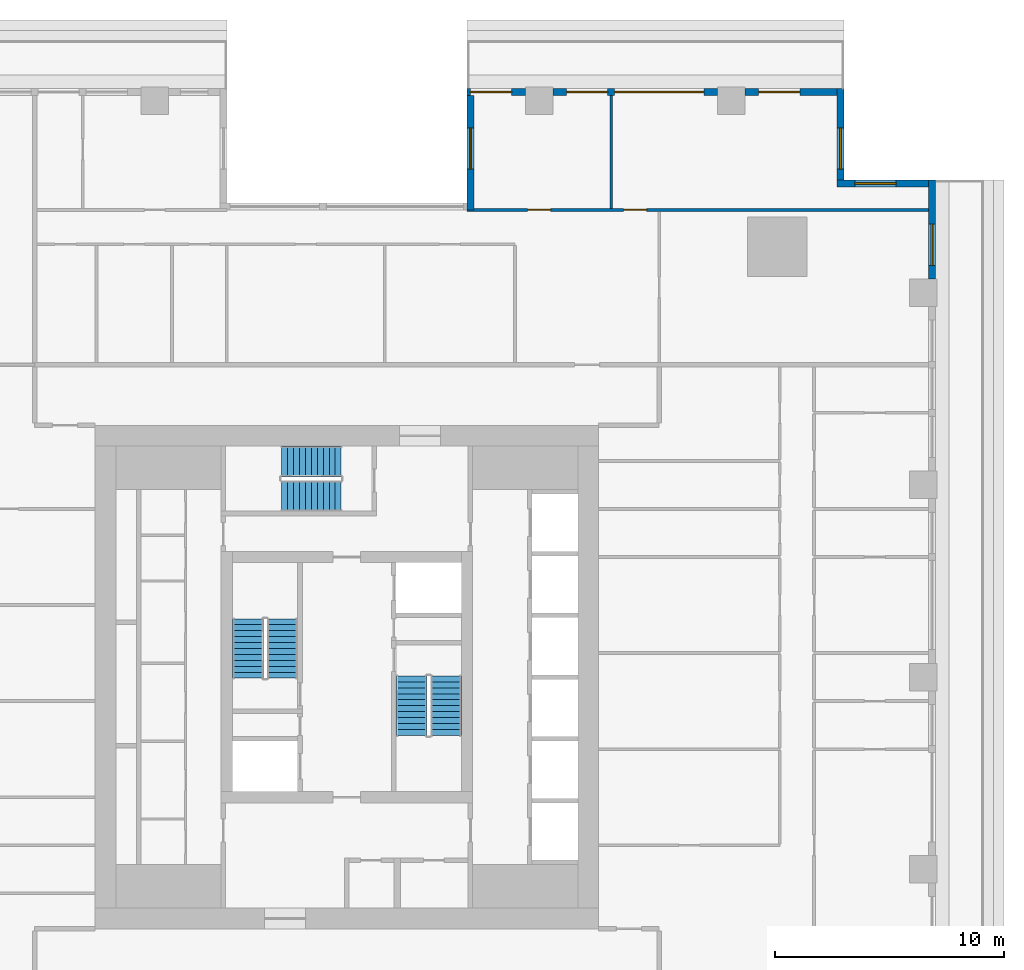
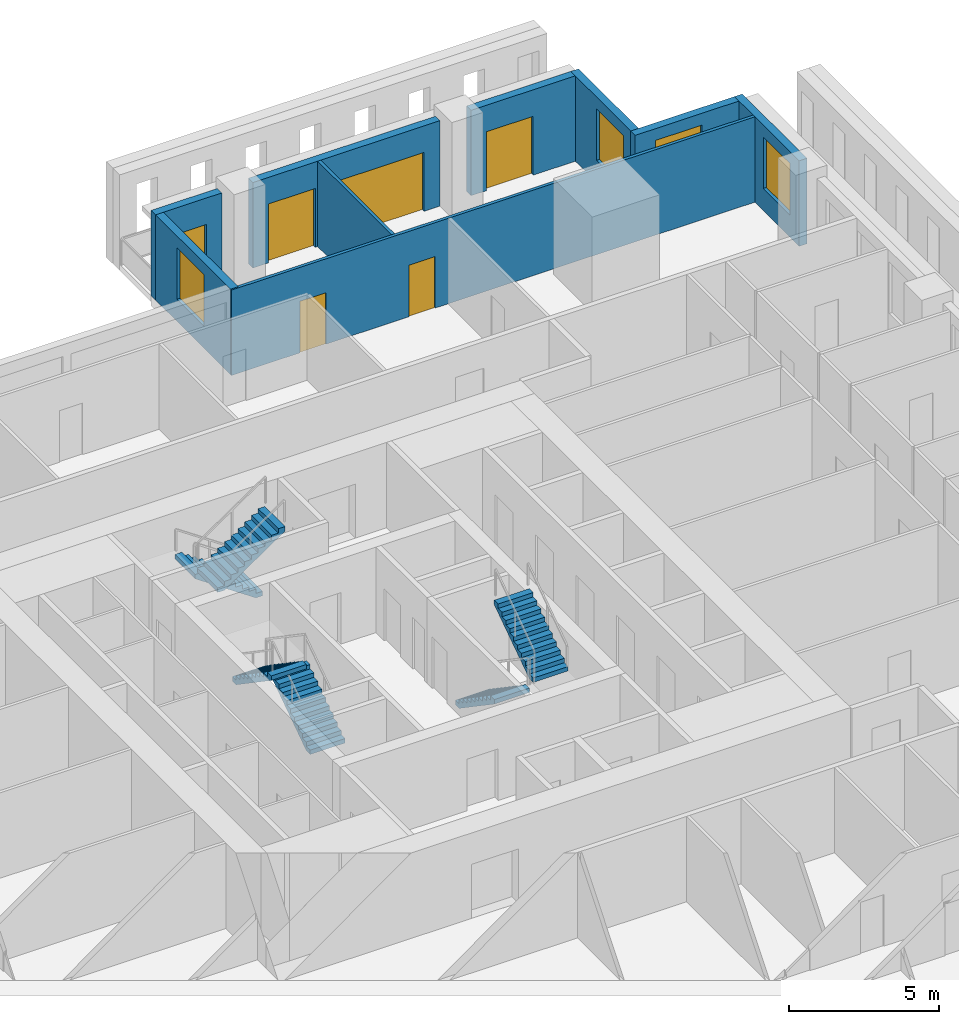
# One storey, part 9 of 15: 9 walls, 6 doors, 6 stair flights, 4 windows, 10 openings, 3 elements without a shape of their own.
"""IFC4 building model written with IfcOpenShell, lengths in metres."""

from ifc_helpers import new_model, si_unit, direction, frame, frame_2d, origin, place, context, subcontext, project, spatial, polyline, rectangle, outline, extrude, material, layer, layer_set, type_object, element, fill, aggregate, save


model = new_model("IFC4")

# Units and contexts
model_context = context("Model", 3, precision=1e-05, world=origin(), true_north=direction((0.0, 1.0)))
body_context = subcontext(model_context, "Body", "Model", "MODEL_VIEW")
ifc_project = project(units=[si_unit("LENGTHUNIT", "METRE"), si_unit("AREAUNIT", "SQUARE_METRE"), si_unit("VOLUMEUNIT", "CUBIC_METRE"), si_unit("PLANEANGLEUNIT", "RADIAN"), si_unit("MASSUNIT", "GRAM", prefix="KILO")], contexts=[model_context])

# Site, building, storey
site_placement = place(None, origin())
site = spatial("IfcSite", under=ifc_project, at=site_placement, CompositionType="ELEMENT")
building_placement = place(site_placement, origin())
building = spatial("IfcBuilding", under=site, at=building_placement, Name="Khepri Terraces", CompositionType="ELEMENT")
storey_placement = place(building_placement, frame((0.0, 0.0, 145.5)))
storey = spatial("IfcBuildingStorey", under=building, at=storey_placement, Name="L34", CompositionType="ELEMENT", Elevation=145.5)

# Wall, opening, window
ifc_material_1 = material(Name="Precast concrete C50/60 warm stone", Category="masonry")
ifc_layer_1 = layer(ifc_material_1, 0.300048828125, Name="Precast concrete C50/60 warm stone", Category="masonry")
ifc_layer_set_1 = layer_set([ifc_layer_1], Name="Precast concrete C50/60 warm stone")
wall_type_1 = type_object("IfcWallType", Name="WL-EXT-PRECAST-300", PredefinedType="STANDARD", material=ifc_layer_set_1)
wall_1_placement = place(storey_placement, frame((25.570068359375, 17.39990234375, 0.0), z_axis=(0.0, 0.0, 1.0), x_axis=(0.0, 1.0, 0.0)))
wall_1 = element("IfcWall", 1, at=wall_1_placement, inside=storey, type_object=wall_type_1, Name="External wall L34 E", PredefinedType="STANDARD", context=body_context, shape_type="SweptSolid", body=[
    extrude(rectangle(XDim=4.320068359375, YDim=0.300048828125, at=frame_2d((2.16015625, 0.0))), origin(), (0.0, 0.0, 1.0), 3.47998046875),
])
opening_1_placement = place(wall_1_placement, frame((0.60009765625, 0.0, 0.89990234375)))
opening_1 = element("IfcOpeningElement", 2, at=opening_1_placement, cuts=wall_1, Name="Opening W1", PredefinedType="OPENING", context=body_context, shape_type="SweptSolid", body=[
    extrude(rectangle(XDim=1.800048828125, YDim=2.10009765625, at=frame_2d((0.89990234375, 1.050048828125))), frame((0.0, 0.16015625, 0.0), z_axis=(0.0, -1.0, 0.0), x_axis=(1.0, 0.0, 0.0)), (0.0, 0.0, 1.0), 0.320068359375),
])
ifc_material_2 = material(Name="Clear glass", Category="glass")
window_type = type_object("IfcWindowType", Name="WIN-RES-1800x2100", PartitioningType="SINGLE_PANEL", PredefinedType="WINDOW", material=ifc_material_2)
window_1_placement = place(opening_1_placement, origin())
window_1 = element("IfcWindow", 3, at=window_1_placement, inside=storey, type_object=window_type, Name="Window L34 E", OverallHeight=2.10009765625, OverallWidth=1.800048828125, PartitioningType="SINGLE_PANEL", PredefinedType="WINDOW", context=body_context, shape_type="SweptSolid", body=[
    extrude(rectangle(XDim=1.800048828125, YDim=2.10009765625, at=frame_2d((0.89990234375, 1.050048828125))), frame((0.0, 0.030029296875, 0.0), z_axis=(0.0, -1.0, 0.0), x_axis=(1.0, 0.0, 0.0)), (0.0, 0.0, 1.0), 0.06005859375),
])
fill(opening_1, window_1)

wall_2_placement = place(storey_placement, frame((25.419921875, 21.570068359375, 0.0), z_axis=(0.0, 0.0, 1.0), x_axis=(-1.0, 0.0, 0.0)))
wall_2 = element("IfcWall", 4, at=wall_2_placement, inside=storey, type_object=wall_type_1, Name="External wall L34 N", PredefinedType="STANDARD", context=body_context, shape_type="SweptSolid", body=[
    extrude(rectangle(XDim=4.0, YDim=0.300048828125, at=frame_2d((2.0, 0.0))), origin(), (0.0, 0.0, 1.0), 3.47998046875),
])
opening_2_placement = place(wall_2_placement, frame((1.419921875, 0.0, 0.89990234375)))
opening_2 = element("IfcOpeningElement", 5, at=opening_2_placement, cuts=wall_2, Name="Opening W1", PredefinedType="OPENING", context=body_context, shape_type="SweptSolid", body=[
    extrude(rectangle(XDim=1.800048828125, YDim=2.10009765625, at=frame_2d((0.89990234375, 1.050048828125))), frame((0.0, 0.16015625, 0.0), z_axis=(0.0, -1.0, 0.0), x_axis=(1.0, 0.0, 0.0)), (0.0, 0.0, 1.0), 0.320068359375),
])
window_2_placement = place(opening_2_placement, origin())
window_2 = element("IfcWindow", 6, at=window_2_placement, inside=storey, type_object=window_type, Name="Window L34 N", OverallHeight=2.10009765625, OverallWidth=1.800048828125, PartitioningType="SINGLE_PANEL", PredefinedType="WINDOW", context=body_context, shape_type="SweptSolid", body=[
    extrude(rectangle(XDim=1.800048828125, YDim=2.10009765625, at=frame_2d((0.89990234375, 1.050048828125))), frame((0.0, 0.030029296875, 0.0), z_axis=(0.0, -1.0, 0.0), x_axis=(1.0, 0.0, 0.0)), (0.0, 0.0, 1.0), 0.06005859375),
])
fill(opening_2, window_2)

wall_3_placement = place(storey_placement, frame((21.570068359375, 21.719970703125, 0.0), z_axis=(0.0, 0.0, 1.0), x_axis=(0.0, 1.0, 0.0)))
wall_3 = element("IfcWall", 7, at=wall_3_placement, inside=storey, type_object=wall_type_1, Name="External wall L34 E", PredefinedType="STANDARD", context=body_context, shape_type="SweptSolid", body=[
    extrude(rectangle(XDim=4.0, YDim=0.300048828125, at=frame_2d((2.0, 0.0))), origin(), (0.0, 0.0, 1.0), 3.47998046875),
])
opening_3_placement = place(wall_3_placement, frame((0.47998046875, 0.0, 0.89990234375)))
opening_3 = element("IfcOpeningElement", 8, at=opening_3_placement, cuts=wall_3, Name="Opening W1", PredefinedType="OPENING", context=body_context, shape_type="SweptSolid", body=[
    extrude(rectangle(XDim=1.800048828125, YDim=2.10009765625, at=frame_2d((0.89990234375, 1.050048828125))), frame((0.0, 0.16015625, 0.0), z_axis=(0.0, -1.0, 0.0), x_axis=(1.0, 0.0, 0.0)), (0.0, 0.0, 1.0), 0.320068359375),
])
window_3_placement = place(opening_3_placement, origin())
window_3 = element("IfcWindow", 9, at=window_3_placement, inside=storey, type_object=window_type, Name="Window L34 E", OverallHeight=2.10009765625, OverallWidth=1.800048828125, PartitioningType="SINGLE_PANEL", PredefinedType="WINDOW", context=body_context, shape_type="SweptSolid", body=[
    extrude(rectangle(XDim=1.800048828125, YDim=2.10009765625, at=frame_2d((0.89990234375, 1.050048828125))), frame((0.0, 0.030029296875, 0.0), z_axis=(0.0, -1.0, 0.0), x_axis=(1.0, 0.0, 0.0)), (0.0, 0.0, 1.0), 0.06005859375),
])
fill(opening_3, window_3)

# Wall, opening, door
wall_4_placement = place(storey_placement, frame((21.419921875, 25.570068359375, 0.0), z_axis=(0.0, 0.0, 1.0), x_axis=(-1.0, 0.0, 0.0)))
wall_4 = element("IfcWall", 10, at=wall_4_placement, inside=storey, type_object=wall_type_1, Name="External wall L34 N", PredefinedType="STANDARD", context=body_context, shape_type="SweptSolid", body=[
    extrude(rectangle(XDim=4.02001953125, YDim=0.300048828125, at=frame_2d((2.010009765625, 0.0))), origin(), (0.0, 0.0, 1.0), 3.47998046875),
])
opening_4_placement = place(wall_4_placement, frame((1.6201171875, 0.0, 0.0)))
opening_4 = element("IfcOpeningElement", 11, at=opening_4_placement, cuts=wall_4, Name="Opening ED-L34-05", PredefinedType="OPENING", context=body_context, shape_type="SweptSolid", body=[
    extrude(rectangle(XDim=1.800048828125, YDim=2.39990234375, at=frame_2d((0.89990234375, 1.199951171875))), frame((0.0, 0.16015625, 0.0), z_axis=(0.0, -1.0, 0.0), x_axis=(1.0, 0.0, 0.0)), (0.0, 0.0, 1.0), 0.320068359375),
])
ifc_material_3 = material(Name="Anodised aluminium bronze glazed door", Category="aluminium")
door_type_1 = type_object("IfcDoorType", Name="DR-BAL-SLIDE-1800x2400", OperationType="NOTDEFINED", PredefinedType="DOOR", material=ifc_material_3)
door_1_placement = place(opening_4_placement, origin())
door_1 = element("IfcDoor", 12, at=door_1_placement, inside=storey, type_object=door_type_1, Name="Balcony door L34 N", OperationType="SLIDING_TO_RIGHT", OverallHeight=2.39990234375, OverallWidth=1.800048828125, PredefinedType="DOOR", context=body_context, shape_type="SweptSolid", body=[
    extrude(rectangle(XDim=1.800048828125, YDim=2.39990234375, at=frame_2d((0.89990234375, 1.199951171875))), frame((0.0, 0.02490234375, 0.0), z_axis=(0.0, -1.0, 0.0), x_axis=(1.0, 0.0, 0.0)), (0.0, 0.0, 1.0), 0.050048828125),
])
fill(opening_4, door_1)

# Wall, openings, doors
wall_5_placement = place(storey_placement, frame((16.199951171875, 25.570068359375, 0.0), z_axis=(0.0, 0.0, 1.0), x_axis=(-1.0, 0.0, 0.0)))
wall_5 = element("IfcWall", 13, at=wall_5_placement, inside=storey, type_object=wall_type_1, Name="External wall L34 N", PredefinedType="STANDARD", context=body_context, shape_type="SweptSolid", body=[
    extrude(rectangle(XDim=7.199951171875, YDim=0.300048828125, at=frame_2d((3.60009765625, 0.0))), origin(), (0.0, 0.0, 1.0), 3.47998046875),
])
opening_5_placement = place(wall_5_placement, frame((0.60009765625, 0.0, 0.0)))
opening_5 = element("IfcOpeningElement", 14, at=opening_5_placement, cuts=wall_5, Name="Opening ED-L34-06", PredefinedType="OPENING", context=body_context, shape_type="SweptSolid", body=[
    extrude(rectangle(XDim=3.89990234375, YDim=2.39990234375, at=frame_2d((1.949951171875, 1.199951171875))), frame((0.0, 0.16015625, 0.0), z_axis=(0.0, -1.0, 0.0), x_axis=(1.0, 0.0, 0.0)), (0.0, 0.0, 1.0), 0.320068359375),
])
opening_6_placement = place(wall_5_placement, frame((4.800048828125, 0.0, 0.0)))
opening_6 = element("IfcOpeningElement", 15, at=opening_6_placement, cuts=wall_5, Name="Opening ED-L34-07", PredefinedType="OPENING", context=body_context, shape_type="SweptSolid", body=[
    extrude(rectangle(XDim=1.800048828125, YDim=2.39990234375, at=frame_2d((0.89990234375, 1.199951171875))), frame((0.0, 0.16015625, 0.0), z_axis=(0.0, -1.0, 0.0), x_axis=(1.0, 0.0, 0.0)), (0.0, 0.0, 1.0), 0.320068359375),
])
door_2_placement = place(opening_6_placement, origin())
door_2 = element("IfcDoor", 16, at=door_2_placement, inside=storey, type_object=door_type_1, Name="Balcony door L34 N", OperationType="SLIDING_TO_RIGHT", OverallHeight=2.39990234375, OverallWidth=1.800048828125, PredefinedType="DOOR", context=body_context, shape_type="SweptSolid", body=[
    extrude(rectangle(XDim=1.800048828125, YDim=2.39990234375, at=frame_2d((0.89990234375, 1.199951171875))), frame((0.0, 0.02490234375, 0.0), z_axis=(0.0, -1.0, 0.0), x_axis=(1.0, 0.0, 0.0)), (0.0, 0.0, 1.0), 0.050048828125),
])
fill(opening_6, door_2)
door_type_2 = type_object("IfcDoorType", Name="DR-BAL-SLIDE-3900x2400", OperationType="NOTDEFINED", PredefinedType="DOOR", material=ifc_material_3)
door_3_placement = place(opening_5_placement, origin())
door_3 = element("IfcDoor", 17, at=door_3_placement, inside=storey, type_object=door_type_2, Name="Balcony door L34 N", OperationType="SLIDING_TO_LEFT", OverallHeight=2.39990234375, OverallWidth=3.89990234375, PredefinedType="DOOR", context=body_context, shape_type="SweptSolid", body=[
    extrude(rectangle(XDim=3.89990234375, YDim=2.39990234375, at=frame_2d((1.949951171875, 1.199951171875))), frame((0.0, 0.02490234375, 0.0), z_axis=(0.0, -1.0, 0.0), x_axis=(1.0, 0.0, 0.0)), (0.0, 0.0, 1.0), 0.050048828125),
])
fill(opening_5, door_3)

# Wall, opening, door
wall_6_placement = place(storey_placement, frame((7.800048828125, 25.570068359375, 0.0), z_axis=(0.0, 0.0, 1.0), x_axis=(-1.0, 0.0, 0.0)))
wall_6 = element("IfcWall", 18, at=wall_6_placement, inside=storey, type_object=wall_type_1, Name="External wall L34 N", PredefinedType="STANDARD", context=body_context, shape_type="SweptSolid", body=[
    extrude(rectangle(XDim=2.550048828125, YDim=0.300048828125, at=frame_2d((1.27490234375, 0.0))), origin(), (0.0, 0.0, 1.0), 3.47998046875),
])
opening_7_placement = place(wall_6_placement, frame((0.60009765625, 0.0, 0.0)))
opening_7 = element("IfcOpeningElement", 19, at=opening_7_placement, cuts=wall_6, Name="Opening ED-L34-08", PredefinedType="OPENING", context=body_context, shape_type="SweptSolid", body=[
    extrude(rectangle(XDim=1.800048828125, YDim=2.39990234375, at=frame_2d((0.89990234375, 1.199951171875))), frame((0.0, 0.16015625, 0.0), z_axis=(0.0, -1.0, 0.0), x_axis=(1.0, 0.0, 0.0)), (0.0, 0.0, 1.0), 0.320068359375),
])
door_4_placement = place(opening_7_placement, origin())
door_4 = element("IfcDoor", 20, at=door_4_placement, inside=storey, type_object=door_type_1, Name="Balcony door L34 N", OperationType="SLIDING_TO_LEFT", OverallHeight=2.39990234375, OverallWidth=1.800048828125, PredefinedType="DOOR", context=body_context, shape_type="SweptSolid", body=[
    extrude(rectangle(XDim=1.800048828125, YDim=2.39990234375, at=frame_2d((0.89990234375, 1.199951171875))), frame((0.0, 0.02490234375, 0.0), z_axis=(0.0, -1.0, 0.0), x_axis=(1.0, 0.0, 0.0)), (0.0, 0.0, 1.0), 0.050048828125),
])
fill(opening_7, door_4)

# Wall, opening, window
wall_7_placement = place(storey_placement, frame((5.39990234375, 25.419921875, 0.0), z_axis=(0.0, 0.0, 1.0), x_axis=(0.0, -1.0, 0.0)))
wall_7 = element("IfcWall", 21, at=wall_7_placement, inside=storey, type_object=wall_type_1, Name="External wall L34 W", PredefinedType="STANDARD", context=body_context, shape_type="SweptSolid", body=[
    extrude(rectangle(XDim=5.0, YDim=0.300048828125, at=frame_2d((2.5, 0.0))), origin(), (0.0, 0.0, 1.0), 3.47998046875),
])
opening_8_placement = place(wall_7_placement, frame((1.419921875, 0.0, 0.89990234375)))
opening_8 = element("IfcOpeningElement", 22, at=opening_8_placement, cuts=wall_7, Name="Opening W1", PredefinedType="OPENING", context=body_context, shape_type="SweptSolid", body=[
    extrude(rectangle(XDim=1.800048828125, YDim=2.10009765625, at=frame_2d((0.89990234375, 1.050048828125))), frame((0.0, 0.16015625, 0.0), z_axis=(0.0, -1.0, 0.0), x_axis=(1.0, 0.0, 0.0)), (0.0, 0.0, 1.0), 0.320068359375),
])
window_4_placement = place(opening_8_placement, origin())
window_4 = element("IfcWindow", 23, at=window_4_placement, inside=storey, type_object=window_type, Name="Window L34 W", OverallHeight=2.10009765625, OverallWidth=1.800048828125, PartitioningType="SINGLE_PANEL", PredefinedType="WINDOW", context=body_context, shape_type="SweptSolid", body=[
    extrude(rectangle(XDim=1.800048828125, YDim=2.10009765625, at=frame_2d((0.89990234375, 1.050048828125))), frame((0.0, 0.030029296875, 0.0), z_axis=(0.0, -1.0, 0.0), x_axis=(1.0, 0.0, 0.0)), (0.0, 0.0, 1.0), 0.06005859375),
])
fill(opening_8, window_4)

# Wall, openings, doors
ifc_material_4 = material(Name="Gypsum plasterboard partition")
ifc_layer_2 = layer(ifc_material_4, 0.1201171875, Name="Gypsum plasterboard partition")
ifc_layer_set_2 = layer_set([ifc_layer_2], Name="Gypsum plasterboard partition")
wall_type_2 = type_object("IfcWallType", Name="WL-PART-120", PredefinedType="PARTITIONING", material=ifc_layer_set_2)
wall_8_placement = place(storey_placement, frame((5.25, 20.419921875, 0.0), z_axis=(0.0, 0.0, 1.0), x_axis=(1.0, 0.0, 0.0)))
wall_8 = element("IfcWall", 24, at=wall_8_placement, inside=storey, type_object=wall_type_2, Name="Partition P-094 L34", PredefinedType="PARTITIONING", context=body_context, shape_type="SweptSolid", body=[
    extrude(rectangle(XDim=20.169921875, YDim=0.1201171875, at=frame_2d((10.0849609375, 0.0))), origin(), (0.0, 0.0, 1.0), 3.47998046875),
])
opening_9_placement = place(wall_8_placement, frame((6.85009765625, 0.0, 0.0)))
opening_9 = element("IfcOpeningElement", 25, at=opening_9_placement, cuts=wall_8, Name="Opening D2", PredefinedType="OPENING", context=body_context, shape_type="SweptSolid", body=[
    extrude(rectangle(XDim=1.0, YDim=2.10009765625, at=frame_2d((0.5, 1.050048828125))), frame((0.0, 0.070068359375, 0.0), z_axis=(0.0, -1.0, 0.0), x_axis=(1.0, 0.0, 0.0)), (0.0, 0.0, 1.0), 0.14013671875),
])
opening_10_placement = place(wall_8_placement, frame((2.64990234375, 0.0, 0.0)))
opening_10 = element("IfcOpeningElement", 26, at=opening_10_placement, cuts=wall_8, Name="Opening D2", PredefinedType="OPENING", context=body_context, shape_type="SweptSolid", body=[
    extrude(rectangle(XDim=1.0, YDim=2.10009765625, at=frame_2d((0.5, 1.050048828125))), frame((0.0, 0.070068359375, 0.0), z_axis=(0.0, -1.0, 0.0), x_axis=(1.0, 0.0, 0.0)), (0.0, 0.0, 1.0), 0.14013671875),
])
ifc_material_5 = material(Name="Timber door leaf, living room door", Category="wood")
door_type_3 = type_object("IfcDoorType", Name="DR-INT-1000", OperationType="NOTDEFINED", PredefinedType="DOOR", material=ifc_material_5)
door_5_placement = place(opening_9_placement, origin())
door_5 = element("IfcDoor", 27, at=door_5_placement, inside=storey, type_object=door_type_3, Name="Door Living Room", OperationType="SINGLE_SWING_LEFT", OverallHeight=2.10009765625, OverallWidth=1.0, PredefinedType="DOOR", context=body_context, shape_type="SweptSolid", body=[
    extrude(rectangle(XDim=1.0, YDim=2.10009765625, at=frame_2d((0.5, 1.050048828125))), frame((0.0, 0.02490234375, 0.0), z_axis=(0.0, -1.0, 0.0), x_axis=(1.0, 0.0, 0.0)), (0.0, 0.0, 1.0), 0.050048828125),
])
fill(opening_9, door_5)
door_6_placement = place(opening_10_placement, origin())
door_6 = element("IfcDoor", 28, at=door_6_placement, inside=storey, type_object=door_type_3, Name="Door Sun Lounge", OperationType="SINGLE_SWING_LEFT", OverallHeight=2.10009765625, OverallWidth=1.0, PredefinedType="DOOR", context=body_context, shape_type="SweptSolid", body=[
    extrude(rectangle(XDim=1.0, YDim=2.10009765625, at=frame_2d((0.5, 1.050048828125))), frame((0.0, 0.02490234375, 0.0), z_axis=(0.0, -1.0, 0.0), x_axis=(1.0, 0.0, 0.0)), (0.0, 0.0, 1.0), 0.050048828125),
])
fill(opening_10, door_6)

# Wall
wall_9_placement = place(storey_placement, frame((11.550048828125, 20.47998046875, 0.0), z_axis=(0.0, 0.0, 1.0), x_axis=(0.0, 1.0, 0.0)))
element("IfcWall", 29, at=wall_9_placement, inside=storey, type_object=wall_type_2, Name="Partition P-098 L34", PredefinedType="PARTITIONING", context=body_context, shape_type="SweptSolid", body=[
    extrude(rectangle(XDim=4.93994140625, YDim=0.1201171875, at=frame_2d((2.469970703125, 0.0))), origin(), (0.0, 0.0, 1.0), 3.47998046875),
])

# Stair, stair flights
ifc_material_6 = material(Name="Concrete C40/50", Category="concrete")
stair_type = type_object("IfcStairType", Name="STAIR-RC-22R", PredefinedType="HALF_TURN_STAIR", material=ifc_material_6)
stair_1_placement = place(storey_placement, origin())
stair_1 = element("IfcStair", 30, at=stair_1_placement, inside=storey, type_object=stair_type, Name="L34 Exit Stair ST-1", PredefinedType="HALF_TURN_STAIR")
stair_flight_type = type_object("IfcStairFlightType", Name="SFL-RC-177.3", PredefinedType="STRAIGHT", material=ifc_material_6)
stair_flight_1_placement = place(storey_placement, frame((-2.824951171875, -0.050048828125, 0.0), z_axis=(0.0, 0.0, 1.0), x_axis=(0.0, 1.0, 0.0)))
stair_flight_1 = element("IfcStairFlight", 31, at=stair_flight_1_placement, type_object=stair_flight_type, Name="ST-1 flight 1", NumberOfRisers=11, NumberOfTreads=10, PredefinedType="STRAIGHT", RiserHeight=0.177272727, TreadLength=0.26, context=body_context, shape_type="SweptSolid", body=[
    extrude(outline(polyline([(0.0, 0.0), (0.0, 0.17724609375), (0.260009765625, 0.17724609375), (0.260009765625, 0.3544921875), (0.52001953125, 0.3544921875), (0.52001953125, 0.53173828125), (0.780029296875, 0.53173828125), (0.780029296875, 0.708984375), (1.0400390625, 0.708984375), (1.0400390625, 0.886474609375), (1.300048828125, 0.886474609375), (1.300048828125, 1.063720703125), (1.56005859375, 1.063720703125), (1.56005859375, 1.240966796875), (1.820068359375, 1.240966796875), (1.820068359375, 1.418212890625), (2.080078125, 1.418212890625), (2.080078125, 1.595458984375), (2.340087890625, 1.595458984375), (2.340087890625, 1.772705078125), (2.60009765625, 1.772705078125), (2.60009765625, 1.949951171875), (2.60009765625, 1.59130859375), (0.26611328125, 0.0), (0.0, 0.0)])), frame((0.0, 0.675048828125, 0.0), z_axis=(0.0, -1.0, 0.0), x_axis=(1.0, 0.0, 0.0)), (0.0, 0.0, 1.0), 1.35009765625),
])
stair_flight_2_placement = place(storey_placement, frame((-4.324951171875, 2.550048828125, 1.949951171875), z_axis=(0.0, 0.0, 1.0), x_axis=(0.0, -1.0, 0.0)))
stair_flight_2 = element("IfcStairFlight", 32, at=stair_flight_2_placement, type_object=stair_flight_type, Name="ST-1 flight 2", NumberOfRisers=11, NumberOfTreads=10, PredefinedType="STRAIGHT", RiserHeight=0.177272727, TreadLength=0.26, context=body_context, shape_type="SweptSolid", body=[
    extrude(outline(polyline([(0.0, 0.0), (0.0, 0.17724609375), (0.260009765625, 0.17724609375), (0.260009765625, 0.3544921875), (0.52001953125, 0.3544921875), (0.52001953125, 0.53173828125), (0.780029296875, 0.53173828125), (0.780029296875, 0.708984375), (1.0400390625, 0.708984375), (1.0400390625, 0.886474609375), (1.300048828125, 0.886474609375), (1.300048828125, 1.063720703125), (1.56005859375, 1.063720703125), (1.56005859375, 1.240966796875), (1.820068359375, 1.240966796875), (1.820068359375, 1.418212890625), (2.080078125, 1.418212890625), (2.080078125, 1.595458984375), (2.340087890625, 1.595458984375), (2.340087890625, 1.772705078125), (2.60009765625, 1.772705078125), (2.60009765625, 1.949951171875), (2.60009765625, 1.59130859375), (0.26611328125, 0.0), (0.0, 0.0)])), frame((0.0, 0.675048828125, 0.0), z_axis=(0.0, -1.0, 0.0), x_axis=(1.0, 0.0, 0.0)), (0.0, 0.0, 1.0), 1.35009765625),
])
aggregate(stair_1, [stair_flight_1, stair_flight_2])

stair_2_placement = place(storey_placement, origin())
stair_2 = element("IfcStair", 33, at=stair_2_placement, inside=storey, type_object=stair_type, Name="L34 Exit Stair ST-2", PredefinedType="HALF_TURN_STAIR")
stair_flight_3_placement = place(storey_placement, frame((2.824951171875, 0.050048828125, 0.0), z_axis=(0.0, 0.0, 1.0), x_axis=(0.0, -1.0, 0.0)))
stair_flight_3 = element("IfcStairFlight", 34, at=stair_flight_3_placement, type_object=stair_flight_type, Name="ST-2 flight 1", NumberOfRisers=11, NumberOfTreads=10, PredefinedType="STRAIGHT", RiserHeight=0.177272727, TreadLength=0.26, context=body_context, shape_type="SweptSolid", body=[
    extrude(outline(polyline([(0.0, 0.0), (0.0, 0.17724609375), (0.260009765625, 0.17724609375), (0.260009765625, 0.3544921875), (0.52001953125, 0.3544921875), (0.52001953125, 0.53173828125), (0.780029296875, 0.53173828125), (0.780029296875, 0.708984375), (1.0400390625, 0.708984375), (1.0400390625, 0.886474609375), (1.300048828125, 0.886474609375), (1.300048828125, 1.063720703125), (1.56005859375, 1.063720703125), (1.56005859375, 1.240966796875), (1.820068359375, 1.240966796875), (1.820068359375, 1.418212890625), (2.080078125, 1.418212890625), (2.080078125, 1.595458984375), (2.340087890625, 1.595458984375), (2.340087890625, 1.772705078125), (2.60009765625, 1.772705078125), (2.60009765625, 1.949951171875), (2.60009765625, 1.59130859375), (0.26611328125, 0.0), (0.0, 0.0)])), frame((0.0, 0.675048828125, 0.0), z_axis=(0.0, -1.0, 0.0), x_axis=(1.0, 0.0, 0.0)), (0.0, 0.0, 1.0), 1.35009765625),
])
stair_flight_4_placement = place(storey_placement, frame((4.324951171875, -2.550048828125, 1.949951171875), z_axis=(0.0, 0.0, 1.0), x_axis=(0.0, 1.0, 0.0)))
stair_flight_4 = element("IfcStairFlight", 35, at=stair_flight_4_placement, type_object=stair_flight_type, Name="ST-2 flight 2", NumberOfRisers=11, NumberOfTreads=10, PredefinedType="STRAIGHT", RiserHeight=0.177272727, TreadLength=0.26, context=body_context, shape_type="SweptSolid", body=[
    extrude(outline(polyline([(0.0, 0.0), (0.0, 0.17724609375), (0.260009765625, 0.17724609375), (0.260009765625, 0.3544921875), (0.52001953125, 0.3544921875), (0.52001953125, 0.53173828125), (0.780029296875, 0.53173828125), (0.780029296875, 0.708984375), (1.0400390625, 0.708984375), (1.0400390625, 0.886474609375), (1.300048828125, 0.886474609375), (1.300048828125, 1.063720703125), (1.56005859375, 1.063720703125), (1.56005859375, 1.240966796875), (1.820068359375, 1.240966796875), (1.820068359375, 1.418212890625), (2.080078125, 1.418212890625), (2.080078125, 1.595458984375), (2.340087890625, 1.595458984375), (2.340087890625, 1.772705078125), (2.60009765625, 1.772705078125), (2.60009765625, 1.949951171875), (2.60009765625, 1.59130859375), (0.26611328125, 0.0), (0.0, 0.0)])), frame((0.0, 0.675048828125, 0.0), z_axis=(0.0, -1.0, 0.0), x_axis=(1.0, 0.0, 0.0)), (0.0, 0.0, 1.0), 1.35009765625),
])
aggregate(stair_2, [stair_flight_3, stair_flight_4])

stair_3_placement = place(storey_placement, origin())
stair_3 = element("IfcStair", 36, at=stair_3_placement, inside=storey, type_object=stair_type, Name="L34 Exit Stair ST-3", PredefinedType="HALF_TURN_STAIR")
stair_flight_5_placement = place(storey_placement, frame((-0.25, 9.425048828125, 0.0), z_axis=(0.0, 0.0, 1.0), x_axis=(-1.0, 0.0, 0.0)))
stair_flight_5 = element("IfcStairFlight", 37, at=stair_flight_5_placement, type_object=stair_flight_type, Name="ST-3 flight 1", NumberOfRisers=11, NumberOfTreads=10, PredefinedType="STRAIGHT", RiserHeight=0.177272727, TreadLength=0.26, context=body_context, shape_type="SweptSolid", body=[
    extrude(outline(polyline([(0.0, 0.0), (0.0, 0.17724609375), (0.260009765625, 0.17724609375), (0.260009765625, 0.3544921875), (0.52001953125, 0.3544921875), (0.52001953125, 0.53173828125), (0.780029296875, 0.53173828125), (0.780029296875, 0.708984375), (1.0400390625, 0.708984375), (1.0400390625, 0.886474609375), (1.300048828125, 0.886474609375), (1.300048828125, 1.063720703125), (1.56005859375, 1.063720703125), (1.56005859375, 1.240966796875), (1.820068359375, 1.240966796875), (1.820068359375, 1.418212890625), (2.080078125, 1.418212890625), (2.080078125, 1.595458984375), (2.340087890625, 1.595458984375), (2.340087890625, 1.772705078125), (2.60009765625, 1.772705078125), (2.60009765625, 1.949951171875), (2.60009765625, 1.59130859375), (0.26611328125, 0.0), (0.0, 0.0)])), frame((0.0, 0.675048828125, 0.0), z_axis=(0.0, -1.0, 0.0), x_axis=(1.0, 0.0, 0.0)), (0.0, 0.0, 1.0), 1.35009765625),
])
stair_flight_6_placement = place(storey_placement, frame((-2.85009765625, 7.925048828125, 1.949951171875), z_axis=(0.0, 0.0, 1.0), x_axis=(1.0, 0.0, 0.0)))
stair_flight_6 = element("IfcStairFlight", 38, at=stair_flight_6_placement, type_object=stair_flight_type, Name="ST-3 flight 2", NumberOfRisers=11, NumberOfTreads=10, PredefinedType="STRAIGHT", RiserHeight=0.177272727, TreadLength=0.26, context=body_context, shape_type="SweptSolid", body=[
    extrude(outline(polyline([(0.0, 0.0), (0.0, 0.17724609375), (0.260009765625, 0.17724609375), (0.260009765625, 0.3544921875), (0.52001953125, 0.3544921875), (0.52001953125, 0.53173828125), (0.780029296875, 0.53173828125), (0.780029296875, 0.708984375), (1.0400390625, 0.708984375), (1.0400390625, 0.886474609375), (1.300048828125, 0.886474609375), (1.300048828125, 1.063720703125), (1.56005859375, 1.063720703125), (1.56005859375, 1.240966796875), (1.820068359375, 1.240966796875), (1.820068359375, 1.418212890625), (2.080078125, 1.418212890625), (2.080078125, 1.595458984375), (2.340087890625, 1.595458984375), (2.340087890625, 1.772705078125), (2.60009765625, 1.772705078125), (2.60009765625, 1.949951171875), (2.60009765625, 1.59130859375), (0.26611328125, 0.0), (0.0, 0.0)])), frame((0.0, 0.675048828125, 0.0), z_axis=(0.0, -1.0, 0.0), x_axis=(1.0, 0.0, 0.0)), (0.0, 0.0, 1.0), 1.35009765625),
])
aggregate(stair_3, [stair_flight_5, stair_flight_6])

save(model, "model.ifc")
